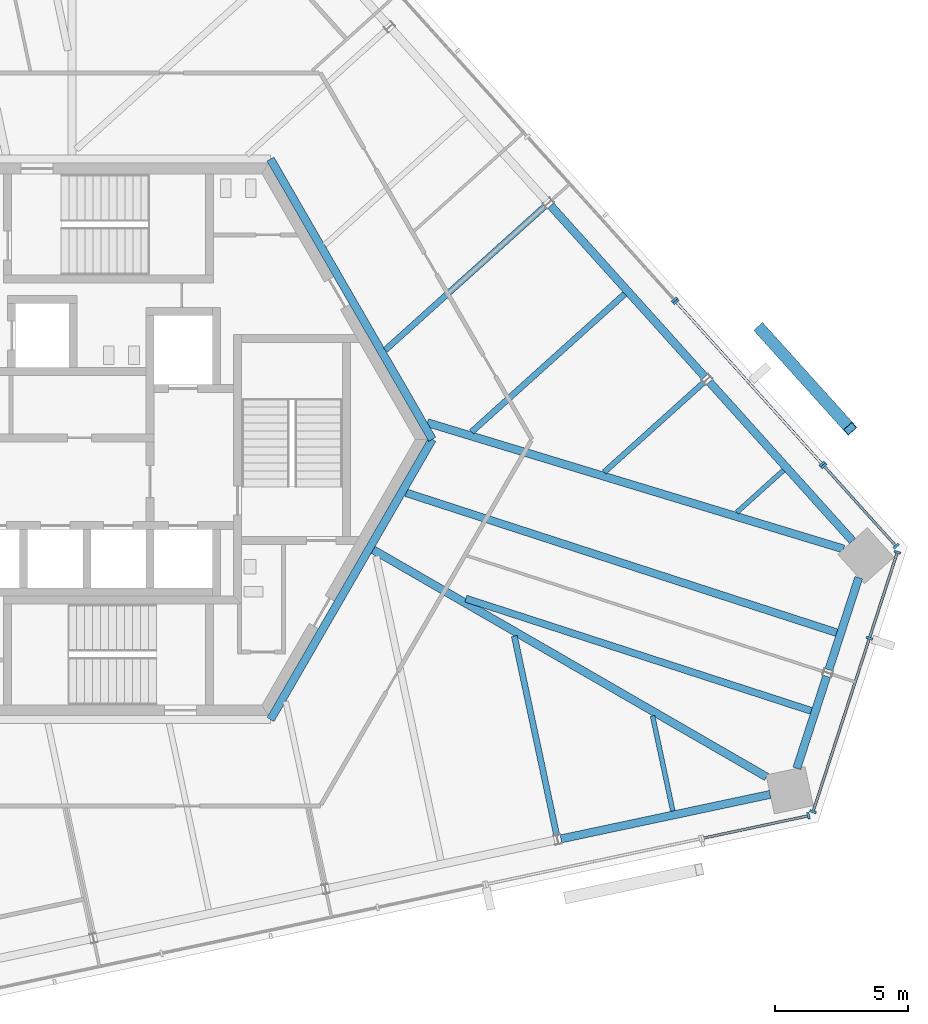
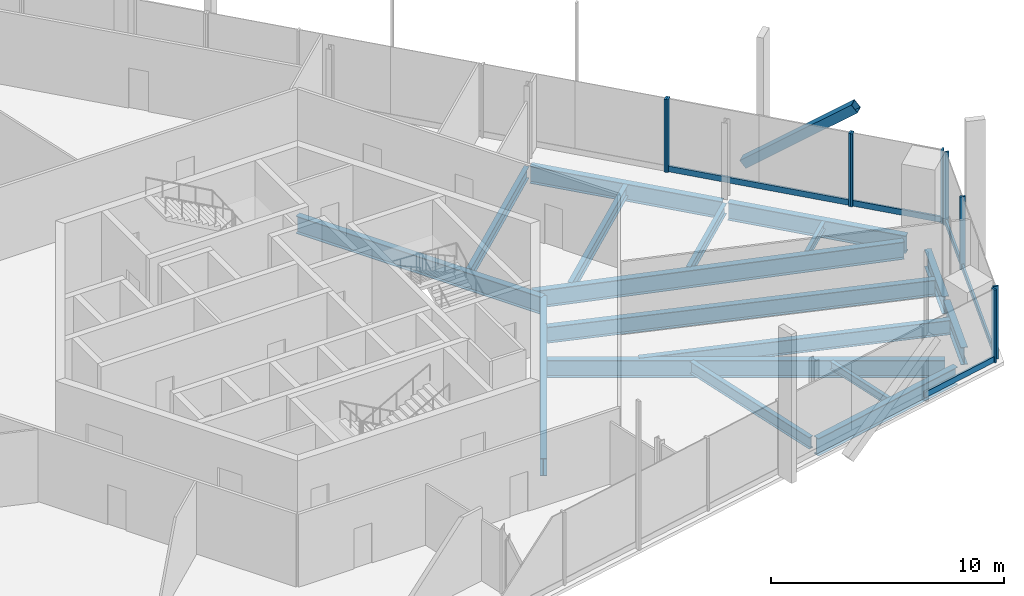
# One storey, part 6 of 17: 17 beams, 15 members, 5 elements without a shape of their own.
"""IFC4 building model written with IfcOpenShell, lengths in metres."""

from ifc_helpers import new_model, si_unit, direction, frame, origin, origin_2d, place, context, subcontext, project, spatial, rectangle, hollow_rectangle, i_section, extrude, source, transform, mapped, material, material_profile, profile_set, type_object, element, aggregate, save


model = new_model("IFC4")

# Units and contexts
model_context = context("Model", 3, precision=1e-05, world=origin(), true_north=direction((0.0, 1.0)))
body_context = subcontext(model_context, "Body", "Model", "MODEL_VIEW")
ifc_project = project(units=[si_unit("LENGTHUNIT", "METRE"), si_unit("AREAUNIT", "SQUARE_METRE"), si_unit("VOLUMEUNIT", "CUBIC_METRE"), si_unit("PLANEANGLEUNIT", "RADIAN"), si_unit("MASSUNIT", "GRAM", prefix="KILO")], contexts=[model_context])

# Site, building, storey
site_placement = place(None, origin())
site = spatial("IfcSite", under=ifc_project, at=site_placement, CompositionType="ELEMENT")
building_placement = place(site_placement, origin())
building = spatial("IfcBuilding", under=site, at=building_placement, Name="Triune Harvest Tower", CompositionType="ELEMENT")
storey_placement = place(building_placement, frame((0.0, 0.0, 288.699951171875)))
storey = spatial("IfcBuildingStorey", under=building, at=storey_placement, Name="L76", CompositionType="ELEMENT", Elevation=288.699951171875)

# Beams
ifc_material_1 = material(Name="Steel ASTM A992 Gr 50", Category="steel")
ifc_material_profile_1 = material_profile(ifc_material_1, i_section(OverallWidth=0.3046875, OverallDepth=0.914306640625, WebThickness=0.0166015625, FlangeThickness=0.02587890625, at=origin_2d()), Name="W36x160")
ifc_profile_set_1 = profile_set([ifc_material_profile_1], Name="Steel ASTM A992 Gr 50")
beam_type_1 = type_object("IfcBeamType", Name="CG-1 Core ring girder W36x160", PredefinedType="BEAM", material=ifc_profile_set_1)
shared_shape_1 = source(origin(), body_context, "Body", "SweptSolid", [
    extrude(i_section(OverallWidth=0.3046875, OverallDepth=0.914306640625, WebThickness=0.0166015625, FlangeThickness=0.02587890625, at=origin_2d()), origin(), (0.0, 0.0, 1.0), 12.176025390625),
])
for number, where, z_axis, x_axis, name in (
    (1, (12.176025390625, 0.0, -0.63720703125), (-0.5000099932, 0.866019634131, 0.0), (-0.866019634131, -0.5000099932, 0.0), "beam/L76/CG1"),
    (2, (6.087890625, -10.544677734375, -0.63720703125), (0.5000099932, 0.866019634131, 0.0), (-0.866019634131, 0.5000099932, 0.0), "beam/L76/CG6"),
):
    element("IfcBeam", number, at=place(storey_placement, frame(where, z_axis=z_axis, x_axis=x_axis)), inside=storey, type_object=beam_type_1, Name=name, PredefinedType="BEAM", context=body_context, shape_type="MappedRepresentation", body=[
        mapped(shared_shape_1, transform((0.0, 0.0, 0.0), scale=1.0)),
    ])
ifc_material_2 = material(Name="Steel ASTM A992 Gr 50", Category="steel")
ifc_material_profile_2 = material_profile(ifc_material_2, i_section(OverallWidth=0.3046875, OverallDepth=0.914306640625, WebThickness=0.0166015625, FlangeThickness=0.02587890625, at=origin_2d()), Name="W36x160")
ifc_profile_set_2 = profile_set([ifc_material_profile_2], Name="Steel ASTM A992 Gr 50")
beam_type_2 = type_object("IfcBeamType", Name="SB-1 Spandrel beam W36x160", PredefinedType="SPANDREL", material=ifc_profile_set_2)
shared_shape_2 = source(origin(), body_context, "Body", "SweptSolid", [
    extrude(i_section(OverallWidth=0.3046875, OverallDepth=0.914306640625, WebThickness=0.0166015625, FlangeThickness=0.02587890625, at=origin_2d()), origin(), (0.0, 0.0, 1.0), 8.0498046875),
])
beam_1_placement = place(storey_placement, frame((27.991455078125, -3.82177734375, -0.63720703125), z_axis=(-0.669137301084, 0.743138797465, 0.0), x_axis=(-0.743138797465, -0.669137301084, 0.0)))
element("IfcBeam", 3, at=beam_1_placement, inside=storey, type_object=beam_type_2, Name="beam/L76/SB1", PredefinedType="SPANDREL", context=body_context, shape_type="MappedRepresentation", body=[
    mapped(shared_shape_2, transform((0.0, 0.0, 0.0), scale=1.0)),
])
shared_shape_3 = source(origin(), body_context, "Body", "SweptSolid", [
    extrude(i_section(OverallWidth=0.3046875, OverallDepth=0.914306640625, WebThickness=0.0166015625, FlangeThickness=0.02587890625, at=origin_2d()), origin(), (0.0, 0.0, 1.0), 8.671630859375),
])
beam_2_placement = place(storey_placement, frame((22.433349609375, 2.350830078125, -0.63720703125), z_axis=(-0.669114044563, 0.743159737452, 0.0), x_axis=(-0.743159737452, -0.669114044563, 0.0)))
element("IfcBeam", 4, at=beam_2_placement, inside=storey, type_object=beam_type_2, Name="beam/L76/SB2", PredefinedType="SPANDREL", context=body_context, shape_type="MappedRepresentation", body=[
    mapped(shared_shape_3, transform((0.0, 0.0, 0.0), scale=1.0)),
])
shared_shape_4 = source(origin(), body_context, "Body", "SweptSolid", [
    extrude(i_section(OverallWidth=0.3046875, OverallDepth=0.914306640625, WebThickness=0.0166015625, FlangeThickness=0.02587890625, at=origin_2d()), origin(), (0.0, 0.0, 1.0), 3.645751953125),
])
for number, where, z_axis, x_axis, name in (
    (5, (25.89306640625, -12.38134765625, -0.63720703125), (0.309046702753, 0.951046862945, 0.0), (-0.951046862945, 0.309046702753, 0.0), "beam/L76/SB20"),
    (6, (27.09912109375, -8.670166015625, -0.63720703125), (0.308986131058, 0.951066543841, 0.0), (-0.951066543841, 0.308986131058, 0.0), "beam/L76/SB21"),
):
    element("IfcBeam", number, at=place(storey_placement, frame(where, z_axis=z_axis, x_axis=x_axis)), inside=storey, type_object=beam_type_2, Name=name, PredefinedType="SPANDREL", context=body_context, shape_type="MappedRepresentation", body=[
        mapped(shared_shape_4, transform((0.0, 0.0, 0.0), scale=1.0)),
    ])
shared_shape_5 = source(origin(), body_context, "Body", "SweptSolid", [
    extrude(i_section(OverallWidth=0.3046875, OverallDepth=0.914306640625, WebThickness=0.0166015625, FlangeThickness=0.02587890625, at=origin_2d()), origin(), (0.0, 0.0, 1.0), 8.049560546875),
])
beam_3_placement = place(storey_placement, frame((17.01806640625, -15.034423828125, -0.63720703125), z_axis=(0.978148597907, 0.207906999431, 0.0), x_axis=(-0.207906999431, 0.978148597907, 0.0)))
element("IfcBeam", 7, at=beam_3_placement, inside=storey, type_object=beam_type_2, Name="beam/L76/SB19", PredefinedType="SPANDREL", context=body_context, shape_type="MappedRepresentation", body=[
    mapped(shared_shape_5, transform((0.0, 0.0, 0.0), scale=1.0)),
])
ifc_material_3 = material(Name="Steel ASTM A992 Gr 50", Category="steel")
ifc_material_profile_3 = material_profile(ifc_material_3, i_section(OverallWidth=0.3046875, OverallDepth=0.914306640625, WebThickness=0.0166015625, FlangeThickness=0.02587890625, at=origin_2d()), Name="W36x160")
ifc_profile_set_3 = profile_set([ifc_material_profile_3], Name="Steel ASTM A992 Gr 50")
beam_type_3 = type_object("IfcBeamType", Name="HG-3 Hip girder W36x160", PredefinedType="BEAM", material=ifc_profile_set_3)
shared_shape_6 = source(origin(), body_context, "Body", "SweptSolid", [
    extrude(i_section(OverallWidth=0.3046875, OverallDepth=0.914306640625, WebThickness=0.0166015625, FlangeThickness=0.02587890625, at=origin_2d()), origin(), (0.0, 0.0, 1.0), 16.370361328125),
])
beam_4_placement = place(storey_placement, frame((27.65478515625, -4.124755859375, -0.63720703125), z_axis=(-0.956924757428, 0.29033602708, 0.0), x_axis=(-0.29033602708, -0.956924757428, 0.0)))
element("IfcBeam", 8, at=beam_4_placement, inside=storey, type_object=beam_type_3, Name="beam/L76/HG1", PredefinedType="BEAM", context=body_context, shape_type="MappedRepresentation", body=[
    mapped(shared_shape_6, transform((0.0, 0.0, 0.0), scale=1.0)),
])
shared_shape_7 = source(origin(), body_context, "Body", "SweptSolid", [
    extrude(i_section(OverallWidth=0.3046875, OverallDepth=0.914306640625, WebThickness=0.0166015625, FlangeThickness=0.02587890625, at=origin_2d()), origin(), (0.0, 0.0, 1.0), 17.088623046875),
])
beam_5_placement = place(storey_placement, frame((24.75146484375, -12.700439453125, -0.63720703125), z_axis=(-0.866020709961, 0.500008129852, 0.0), x_axis=(-0.500008129852, -0.866020709961, 0.0)))
element("IfcBeam", 9, at=beam_5_placement, inside=storey, type_object=beam_type_3, Name="beam/L76/HG8", PredefinedType="BEAM", context=body_context, shape_type="MappedRepresentation", body=[
    mapped(shared_shape_7, transform((0.0, 0.0, 0.0), scale=1.0)),
])
ifc_material_4 = material(Name="Steel ASTM A992 Gr 50", Category="steel")
ifc_material_profile_4 = material_profile(ifc_material_4, i_section(OverallWidth=0.180908203125, OverallDepth=0.41650390625, WebThickness=0.010986328125, FlangeThickness=0.01806640625, at=origin_2d()), Name="W16x57")
ifc_profile_set_4 = profile_set([ifc_material_profile_4], Name="Steel ASTM A992 Gr 50")
beam_type_4 = type_object("IfcBeamType", Name="JT-1 Floor joist W16x57", PredefinedType="JOIST", material=ifc_profile_set_4)
shared_shape_8 = source(origin(), body_context, "Body", "SweptSolid", [
    extrude(i_section(OverallWidth=0.180908203125, OverallDepth=0.41650390625, WebThickness=0.010986328125, FlangeThickness=0.01806640625, at=origin_2d()), origin(), (0.0, 0.0, 1.0), 2.364990234375),
])
beam_6_placement = place(storey_placement, frame((25.39306640625, -1.163818359375, -0.38818359375), z_axis=(-0.743196605909, -0.669073093888, 0.0), x_axis=(0.669073093888, -0.743196605909, 0.0)))
element("IfcBeam", 10, at=beam_6_placement, inside=storey, type_object=beam_type_4, Name="beam/L76/JT1", PredefinedType="JOIST", context=body_context, shape_type="MappedRepresentation", body=[
    mapped(shared_shape_8, transform((0.0, 0.0, 0.0), scale=1.0)),
])
ifc_material_5 = material(Name="Steel ASTM A992 Gr 50", Category="steel")
ifc_material_profile_5 = material_profile(ifc_material_5, i_section(OverallWidth=0.2099609375, OverallDepth=0.535888671875, WebThickness=0.010986328125, FlangeThickness=0.017333984375, at=origin_2d()), Name="W21x68")
ifc_profile_set_5 = profile_set([ifc_material_profile_5], Name="Steel ASTM A992 Gr 50")
beam_type_5 = type_object("IfcBeamType", Name="JT-2 Floor joist W21x68", PredefinedType="JOIST", material=ifc_profile_set_5)
shared_shape_9 = source(origin(), body_context, "Body", "SweptSolid", [
    extrude(i_section(OverallWidth=0.2099609375, OverallDepth=0.535888671875, WebThickness=0.010986328125, FlangeThickness=0.017333984375, at=origin_2d()), origin(), (0.0, 0.0, 1.0), 5.031982421875),
])
beam_7_placement = place(storey_placement, frame((22.38525390625, 2.135009765625, -0.447998046875), z_axis=(-0.743132491089, -0.669144304831, 0.0), x_axis=(0.669144304831, -0.743132491089, 0.0)))
element("IfcBeam", 11, at=beam_7_placement, inside=storey, type_object=beam_type_5, Name="beam/L76/JT2", PredefinedType="JOIST", context=body_context, shape_type="MappedRepresentation", body=[
    mapped(shared_shape_9, transform((0.0, 0.0, 0.0), scale=1.0)),
])
ifc_material_6 = material(Name="Steel ASTM A992 Gr 50", Category="steel")
ifc_material_profile_6 = material_profile(ifc_material_6, i_section(OverallWidth=0.22900390625, OverallDepth=0.612060546875, WebThickness=0.011962890625, FlangeThickness=0.01953125, at=origin_2d()), Name="W24x84")
ifc_profile_set_6 = profile_set([ifc_material_profile_6], Name="Steel ASTM A992 Gr 50")
beam_type_6 = type_object("IfcBeamType", Name="JT-3 Floor joist W24x84", PredefinedType="JOIST", material=ifc_profile_set_6)
shared_shape_10 = source(origin(), body_context, "Body", "SweptSolid", [
    extrude(i_section(OverallWidth=0.22900390625, OverallDepth=0.612060546875, WebThickness=0.011962890625, FlangeThickness=0.01953125, at=origin_2d()), origin(), (0.0, 0.0, 1.0), 7.755126953125),
])
beam_8_placement = place(storey_placement, frame((19.4189453125, 5.470947265625, -0.486083984375), z_axis=(-0.743143852868, -0.66913168655, 0.0), x_axis=(0.66913168655, -0.743143852868, 0.0)))
element("IfcBeam", 12, at=beam_8_placement, inside=storey, type_object=beam_type_6, Name="beam/L76/JT3", PredefinedType="JOIST", context=body_context, shape_type="MappedRepresentation", body=[
    mapped(shared_shape_10, transform((0.0, 0.0, 0.0), scale=1.0)),
])
shared_shape_11 = source(origin(), body_context, "Body", "SweptSolid", [
    extrude(i_section(OverallWidth=0.22900390625, OverallDepth=0.612060546875, WebThickness=0.011962890625, FlangeThickness=0.01953125, at=origin_2d()), origin(), (0.0, 0.0, 1.0), 8.076904296875),
])
beam_9_placement = place(storey_placement, frame((16.4111328125, 8.769775390625, -0.486083984375), z_axis=(-0.743136309392, -0.669140064308, 0.0), x_axis=(0.669140064308, -0.743136309392, 0.0)))
element("IfcBeam", 13, at=beam_9_placement, inside=storey, type_object=beam_type_6, Name="beam/L76/JT4", PredefinedType="JOIST", context=body_context, shape_type="MappedRepresentation", body=[
    mapped(shared_shape_11, transform((0.0, 0.0, 0.0), scale=1.0)),
])
shared_shape_12 = source(origin(), body_context, "Body", "SweptSolid", [
    extrude(i_section(OverallWidth=0.22900390625, OverallDepth=0.612060546875, WebThickness=0.011962890625, FlangeThickness=0.01953125, at=origin_2d()), origin(), (0.0, 0.0, 1.0), 7.6533203125),
])
beam_10_placement = place(storey_placement, frame((16.85498046875, -14.884765625, -0.486083984375), z_axis=(-0.207892711211, 0.978151634781, 0.0), x_axis=(-0.978151634781, -0.207892711211, 0.0)))
element("IfcBeam", 14, at=beam_10_placement, inside=storey, type_object=beam_type_6, Name="beam/L76/JT30", PredefinedType="JOIST", context=body_context, shape_type="MappedRepresentation", body=[
    mapped(shared_shape_12, transform((0.0, 0.0, 0.0), scale=1.0)),
])
shared_shape_13 = source(origin(), body_context, "Body", "SweptSolid", [
    extrude(i_section(OverallWidth=0.180908203125, OverallDepth=0.41650390625, WebThickness=0.010986328125, FlangeThickness=0.01806640625, at=origin_2d()), origin(), (0.0, 0.0, 1.0), 3.661865234375),
])
beam_11_placement = place(storey_placement, frame((21.227294921875, -13.98388671875, -0.38818359375), z_axis=(-0.20788506993, 0.9781532588, 0.0), x_axis=(-0.9781532588, -0.20788506993, 0.0)))
element("IfcBeam", 15, at=beam_11_placement, inside=storey, type_object=beam_type_4, Name="beam/L76/JT31", PredefinedType="JOIST", context=body_context, shape_type="MappedRepresentation", body=[
    mapped(shared_shape_13, transform((0.0, 0.0, 0.0), scale=1.0)),
])
ifc_material_7 = material(Name="Steel ASTM A992 Gr 50", Category="steel")
ifc_material_profile_7 = material_profile(ifc_material_7, i_section(OverallWidth=0.2666015625, OverallDepth=0.7568359375, WebThickness=0.013916015625, FlangeThickness=0.019287109375, at=origin_2d()), Name="W30x108")
ifc_profile_set_7 = profile_set([ifc_material_profile_7], Name="Steel ASTM A992 Gr 50")
beam_type_7 = type_object("IfcBeamType", Name="JT-5 Floor joist W30x108", PredefinedType="JOIST", material=ifc_profile_set_7)
shared_shape_14 = source(origin(), body_context, "Body", "SweptSolid", [
    extrude(i_section(OverallWidth=0.2666015625, OverallDepth=0.7568359375, WebThickness=0.013916015625, FlangeThickness=0.019287109375, at=origin_2d()), origin(), (0.0, 0.0, 1.0), 13.667724609375),
])
beam_12_placement = place(storey_placement, frame((26.4365234375, -10.216064453125, -0.558349609375), z_axis=(-0.951054938162, 0.309021851327, 0.0), x_axis=(-0.309021851327, -0.951054938162, 0.0)))
element("IfcBeam", 16, at=beam_12_placement, inside=storey, type_object=beam_type_7, Name="beam/L76/JT32", PredefinedType="JOIST", context=body_context, shape_type="MappedRepresentation", body=[
    mapped(shared_shape_14, transform((0.0, 0.0, 0.0), scale=1.0)),
])
ifc_material_8 = material(Name="Steel ASTM A992 Gr 50", Category="steel")
ifc_material_profile_8 = material_profile(ifc_material_8, i_section(OverallWidth=0.2919921875, OverallDepth=0.8408203125, WebThickness=0.0146484375, FlangeThickness=0.021728515625, at=origin_2d()), Name="W33x130")
ifc_profile_set_8 = profile_set([ifc_material_profile_8], Name="Steel ASTM A992 Gr 50")
beam_type_8 = type_object("IfcBeamType", Name="JT-6 Floor joist W33x130", PredefinedType="JOIST", material=ifc_profile_set_8)
shared_shape_15 = source(origin(), body_context, "Body", "SweptSolid", [
    extrude(i_section(OverallWidth=0.2919921875, OverallDepth=0.8408203125, WebThickness=0.0146484375, FlangeThickness=0.021728515625, at=origin_2d()), origin(), (0.0, 0.0, 1.0), 17.03466796875),
])
beam_13_placement = place(storey_placement, frame((27.392333984375, -7.27392578125, -0.600341796875), z_axis=(-0.951057974177, 0.30901250744, 0.0), x_axis=(-0.30901250744, -0.951057974177, 0.0)))
element("IfcBeam", 17, at=beam_13_placement, inside=storey, type_object=beam_type_8, Name="beam/L76/JT33", PredefinedType="JOIST", context=body_context, shape_type="MappedRepresentation", body=[
    mapped(shared_shape_15, transform((0.0, 0.0, 0.0), scale=1.0)),
])

# Member
ifc_material_9 = material(Name="Steel ASTM A572 Gr 50", Category="steel")
ifc_material_profile_9 = material_profile(ifc_material_9, hollow_rectangle(XDim=0.449951171875, YDim=0.449951171875, WallThickness=0.02490234375, at=origin_2d()), Name="Box 450x450x25")
ifc_profile_set_9 = profile_set([ifc_material_profile_9], Name="Steel ASTM A572 Gr 50")
member_type_1 = type_object("IfcMemberType", Name="BR-4 Brace Box 450x450x25", PredefinedType="BRACE", material=ifc_profile_set_9)
shared_shape_16 = source(origin(), body_context, "Body", "SweptSolid", [
    extrude(hollow_rectangle(XDim=0.449951171875, YDim=0.449951171875, WallThickness=0.02490234375, at=origin_2d()), origin(), (0.0, 0.0, 1.0), 6.432373046875),
])
member_1_placement = place(storey_placement, frame((24.531005859375, 4.146728515625, 0.0), z_axis=(0.524042526102, -0.581961617492, 0.621852158155), x_axis=(0.743118199598, 0.669160176211, 0.0)))
element("IfcMember", 18, at=member_1_placement, inside=storey, type_object=member_type_1, Name="brace/B7-F1/d2/9", PredefinedType="BRACE", context=body_context, shape_type="MappedRepresentation", body=[
    mapped(shared_shape_16, transform((0.0, 0.0, 0.0), scale=1.0)),
])

# Curtain wall, members
ifc_material_10 = material(Name="Aluminium bronze anodised", Category="aluminium")
curtain_wall_type_1 = type_object("IfcCurtainWallType", Name="CW-4 Sky lobby tall glazing wall", PredefinedType="NOTDEFINED", material=ifc_material_10)
curtain_wall_1_placement = place(storey_placement, origin())
curtain_wall_1 = element("IfcCurtainWall", 19, at=curtain_wall_1_placement, inside=storey, type_object=curtain_wall_type_1, Name="CW-4 B7-F1 L76 run 1")
ifc_material_11 = material(Name="Aluminium bronze anodised", Category="aluminium")
ifc_material_profile_10 = material_profile(ifc_material_11, rectangle(XDim=0.25, YDim=0.090087890625, at=origin_2d()), Name="MU-4 mullion 90 x 250")
ifc_profile_set_10 = profile_set([ifc_material_profile_10], Name="Aluminium bronze anodised")
member_type_2 = type_object("IfcMemberType", Name="MU-4 mullion 90 x 250", PredefinedType="MULLION", material=ifc_profile_set_10)
shared_shape_17 = source(origin(), body_context, "Body", "SweptSolid", [
    extrude(rectangle(XDim=0.25, YDim=0.090087890625, at=origin_2d()), origin(), (0.0, 0.0, 1.0), 3.820068359375),
])
member_2_placement = place(storey_placement, frame((29.629150390625, -4.01806640625, 0.0), z_axis=(0.0, 0.0, 1.0), x_axis=(-0.743139438275, -0.669136589405, 0.0)))
member_2 = element("IfcMember", 20, at=member_2_placement, type_object=member_type_2, Name="CW-4 mullion B7-F1 1.1", PredefinedType="MULLION", context=body_context, shape_type="MappedRepresentation", body=[
    mapped(shared_shape_17, transform((0.0, 0.0, 0.0), scale=1.0)),
])
member_3_placement = place(storey_placement, frame((26.908447265625, -0.996826171875, 0.0), z_axis=(0.0, 0.0, 1.0), x_axis=(-0.743139438275, -0.669136589405, 0.0)))
member_3 = element("IfcMember", 21, at=member_3_placement, type_object=member_type_2, Name="CW-4 mullion B7-F1 1.2", PredefinedType="MULLION", context=body_context, shape_type="MappedRepresentation", body=[
    mapped(shared_shape_17, transform((0.0, 0.0, 0.0), scale=1.0)),
])

ifc_material_12 = material(Name="Aluminium bronze anodised", Category="aluminium")
curtain_wall_type_2 = type_object("IfcCurtainWallType", Name="CW-9 Sky lobby tall glazing wall with insulated spandrel infill", PredefinedType="NOTDEFINED", material=ifc_material_12)
curtain_wall_2_placement = place(storey_placement, origin())
curtain_wall_2 = element("IfcCurtainWall", 22, at=curtain_wall_2_placement, inside=storey, type_object=curtain_wall_type_2, Name="CW-9 B7-F1 L76 run 1001")
member_4_placement = place(storey_placement, frame((26.848388671875, -0.929931640625, 0.0), z_axis=(0.0, 0.0, 1.0), x_axis=(-0.743146360677, -0.669128901343, 0.0)))
member_4 = element("IfcMember", 23, at=member_4_placement, type_object=member_type_2, Name="CW-9 mullion B7-F1 1001.1", PredefinedType="MULLION", context=body_context, shape_type="MappedRepresentation", body=[
    mapped(shared_shape_17, transform((0.0, 0.0, 0.0), scale=1.0)),
])
member_5_placement = place(storey_placement, frame((21.346923828125, 5.179931640625, 0.0), z_axis=(0.0, 0.0, 1.0), x_axis=(-0.743146360677, -0.669128901343, 0.0)))
member_5 = element("IfcMember", 24, at=member_5_placement, type_object=member_type_2, Name="CW-9 mullion B7-F1 1001.3", PredefinedType="MULLION", context=body_context, shape_type="MappedRepresentation", body=[
    mapped(shared_shape_17, transform((0.0, 0.0, 0.0), scale=1.0)),
])

# Curtain wall, member
curtain_wall_3_placement = place(storey_placement, origin())
curtain_wall_3 = element("IfcCurtainWall", 25, at=curtain_wall_3_placement, inside=storey, type_object=curtain_wall_type_1, Name="CW-4 B7-F1 L76 run 2001")
member_6_placement = place(storey_placement, frame((21.286865234375, 5.246826171875, 0.0), z_axis=(0.0, 0.0, 1.0), x_axis=(-0.74314408674, -0.669131426809, 0.0)))
member_6 = element("IfcMember", 26, at=member_6_placement, type_object=member_type_2, Name="CW-4 mullion B7-F1 2001.1", PredefinedType="MULLION", context=body_context, shape_type="MappedRepresentation", body=[
    mapped(shared_shape_17, transform((0.0, 0.0, 0.0), scale=1.0)),
])
aggregate(curtain_wall_3, [member_6])

curtain_wall_4_placement = place(storey_placement, origin())
curtain_wall_4 = element("IfcCurtainWall", 27, at=curtain_wall_4_placement, inside=storey, type_object=curtain_wall_type_1, Name="CW-4 B7-F5 L76 run 4001")
member_7_placement = place(storey_placement, frame((26.332275390625, -14.16455078125, 0.0), z_axis=(0.0, 0.0, 1.0), x_axis=(-0.207900793267, 0.978149917016, 0.0)))
member_7 = element("IfcMember", 28, at=member_7_placement, type_object=member_type_2, Name="CW-4 mullion B7-F5 4001.2", PredefinedType="MULLION", context=body_context, shape_type="MappedRepresentation", body=[
    mapped(shared_shape_17, transform((0.0, 0.0, 0.0), scale=1.0)),
])

# Curtain wall, members
curtain_wall_5_placement = place(storey_placement, origin())
curtain_wall_5 = element("IfcCurtainWall", 29, at=curtain_wall_5_placement, inside=storey, type_object=curtain_wall_type_1, Name="CW-4 B7-F6 L76 run 1")
member_8_placement = place(storey_placement, frame((26.506103515625, -14.00830078125, 0.0), z_axis=(0.0, 0.0, 1.0), x_axis=(-0.951055902733, 0.309018882717, 0.0)))
member_8 = element("IfcMember", 30, at=member_8_placement, type_object=member_type_2, Name="CW-4 mullion B7-F6 1.1", PredefinedType="MULLION", context=body_context, shape_type="MappedRepresentation", body=[
    mapped(shared_shape_17, transform((0.0, 0.0, 0.0), scale=1.0)),
])
member_9_placement = place(storey_placement, frame((28.625, -7.486328125, 0.0), z_axis=(0.0, 0.0, 1.0), x_axis=(-0.951055902733, 0.309018882717, 0.0)))
member_9 = element("IfcMember", 31, at=member_9_placement, type_object=member_type_2, Name="CW-4 mullion B7-F6 1.3", PredefinedType="MULLION", context=body_context, shape_type="MappedRepresentation", body=[
    mapped(shared_shape_17, transform((0.0, 0.0, 0.0), scale=1.0)),
])
member_10_placement = place(storey_placement, frame((29.677734375, -4.246826171875, 0.0), z_axis=(0.0, 0.0, 1.0), x_axis=(-0.951055902733, 0.309018882717, 0.0)))
member_10 = element("IfcMember", 32, at=member_10_placement, type_object=member_type_2, Name="CW-4 mullion B7-F6 1.4", PredefinedType="MULLION", context=body_context, shape_type="MappedRepresentation", body=[
    mapped(shared_shape_17, transform((0.0, 0.0, 0.0), scale=1.0)),
])

# Member
ifc_material_13 = material(Name="Aluminium bronze anodised", Category="aluminium")
ifc_material_profile_11 = material_profile(ifc_material_13, rectangle(XDim=0.10009765625, YDim=0.300048828125, at=origin_2d()), Name="TR-4 transom 100 x 300")
ifc_profile_set_11 = profile_set([ifc_material_profile_11], Name="Aluminium bronze anodised")
member_type_3 = type_object("IfcMemberType", Name="TR-4 transom 100 x 300", PredefinedType="USERDEFINED", material=ifc_profile_set_11)
shared_shape_18 = source(origin(), body_context, "Body", "SweptSolid", [
    extrude(rectangle(XDim=0.10009765625, YDim=0.300048828125, at=origin_2d()), origin(), (0.0, 0.0, 1.0), 8.131591796875),
])
member_11_placement = place(storey_placement, frame((26.818115234375, -0.896484375, 0.150146484375), z_axis=(-0.669117326261, 0.743156782716, 0.0), x_axis=(-0.743156782716, -0.669117326261, 0.0)))
member_11 = element("IfcMember", 33, at=member_11_placement, type_object=member_type_3, Name="CW-9 transom B7-F1 1001.1", ObjectType="TRANSOM", PredefinedType="USERDEFINED", context=body_context, shape_type="MappedRepresentation", body=[
    mapped(shared_shape_18, transform((0.0, 0.0, 0.0), scale=1.0)),
])

aggregate(curtain_wall_2, [member_4, member_5, member_11])

shared_shape_19 = source(origin(), body_context, "Body", "SweptSolid", [
    extrude(rectangle(XDim=0.10009765625, YDim=0.300048828125, at=origin_2d()), origin(), (0.0, 0.0, 1.0), 6.76708984375),
])
member_12_placement = place(storey_placement, frame((26.52001953125, -13.96533203125, 0.150146484375), z_axis=(0.30899960044, 0.951062167751, 0.0), x_axis=(-0.951062167751, 0.30899960044, 0.0)))
member_12 = element("IfcMember", 34, at=member_12_placement, type_object=member_type_3, Name="CW-4 transom B7-F6 1.1", ObjectType="TRANSOM", PredefinedType="USERDEFINED", context=body_context, shape_type="MappedRepresentation", body=[
    mapped(shared_shape_19, transform((0.0, 0.0, 0.0), scale=1.0)),
])

shared_shape_20 = source(origin(), body_context, "Body", "SweptSolid", [
    extrude(rectangle(XDim=0.10009765625, YDim=0.300048828125, at=origin_2d()), origin(), (0.0, 0.0, 1.0), 3.316162109375),
])
member_13_placement = place(storey_placement, frame((28.638916015625, -7.443603515625, 0.150146484375), z_axis=(0.309062766422, 0.951041642838, 0.0), x_axis=(-0.951041642838, 0.309062766422, 0.0)))
member_13 = element("IfcMember", 35, at=member_13_placement, type_object=member_type_3, Name="CW-4 transom B7-F6 1.2", ObjectType="TRANSOM", PredefinedType="USERDEFINED", context=body_context, shape_type="MappedRepresentation", body=[
    mapped(shared_shape_20, transform((0.0, 0.0, 0.0), scale=1.0)),
])

aggregate(curtain_wall_5, [member_8, member_9, member_10, member_12, member_13])

shared_shape_21 = source(origin(), body_context, "Body", "SweptSolid", [
    extrude(rectangle(XDim=0.10009765625, YDim=0.300048828125, at=origin_2d()), origin(), (0.0, 0.0, 1.0), 3.9755859375),
])
member_14_placement = place(storey_placement, frame((29.598876953125, -3.984619140625, 0.150146484375), z_axis=(-0.669137750918, 0.743138392425, 0.0), x_axis=(-0.743138392425, -0.669137750918, 0.0)))
member_14 = element("IfcMember", 36, at=member_14_placement, type_object=member_type_3, Name="CW-4 transom B7-F1 1.1", ObjectType="TRANSOM", PredefinedType="USERDEFINED", context=body_context, shape_type="MappedRepresentation", body=[
    mapped(shared_shape_21, transform((0.0, 0.0, 0.0), scale=1.0)),
])

aggregate(curtain_wall_1, [member_2, member_3, member_14])

shared_shape_22 = source(origin(), body_context, "Body", "SweptSolid", [
    extrude(rectangle(XDim=0.10009765625, YDim=0.300048828125, at=origin_2d()), origin(), (0.0, 0.0, 1.0), 3.975830078125),
])
member_15_placement = place(storey_placement, frame((22.3994140625, -15.00048828125, 0.150146484375), z_axis=(0.978157758443, 0.207863896813, 0.0), x_axis=(-0.207863896813, 0.978157758443, 0.0)))
member_15 = element("IfcMember", 37, at=member_15_placement, type_object=member_type_3, Name="CW-4 transom B7-F5 4001.1", ObjectType="TRANSOM", PredefinedType="USERDEFINED", context=body_context, shape_type="MappedRepresentation", body=[
    mapped(shared_shape_22, transform((0.0, 0.0, 0.0), scale=1.0)),
])

aggregate(curtain_wall_4, [member_7, member_15])

save(model, "model.ifc")
